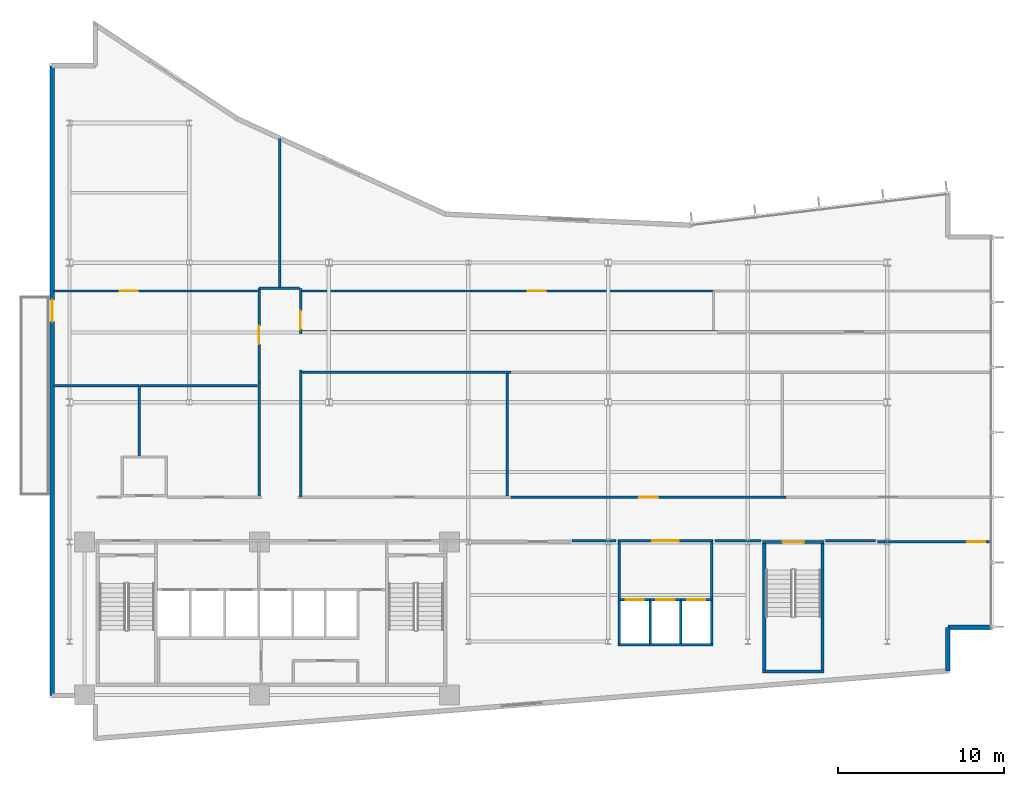
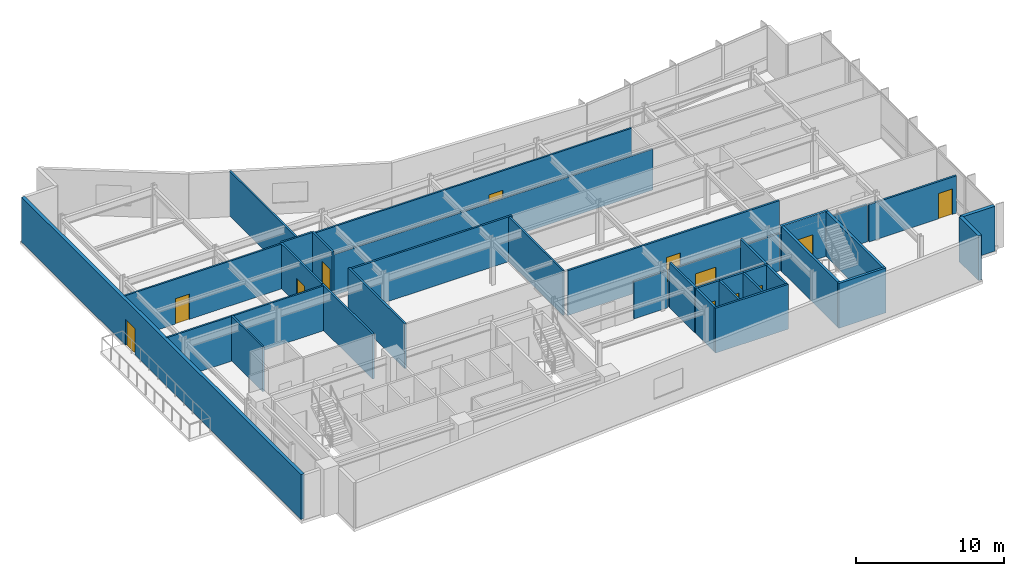
# One storey, part 11 of 16: 37 walls, 12 doors, 12 openings.
"""IFC4 building model written with IfcOpenShell, lengths in metres."""

from ifc_helpers import new_model, si_unit, direction, frame, frame_2d, origin, place, context, subcontext, project, spatial, rectangle, extrude, material, layer, layer_set, type_object, element, fill, save


model = new_model("IFC4")

# Units and contexts
model_context = context("Model", 3, precision=1e-05, world=origin(), true_north=direction((0.0, 1.0)))
body_context = subcontext(model_context, "Body", "Model", "MODEL_VIEW")
ifc_project = project(units=[si_unit("LENGTHUNIT", "METRE"), si_unit("AREAUNIT", "SQUARE_METRE"), si_unit("VOLUMEUNIT", "CUBIC_METRE"), si_unit("PLANEANGLEUNIT", "RADIAN"), si_unit("MASSUNIT", "GRAM", prefix="KILO")], contexts=[model_context])

# Site, building, storey
site_placement = place(None, origin())
site = spatial("IfcSite", under=ifc_project, at=site_placement, CompositionType="ELEMENT")
building_placement = place(site_placement, origin())
building = spatial("IfcBuilding", under=site, at=building_placement, Name="Varnakote Quay Hospital", CompositionType="ELEMENT")
storey_placement = place(building_placement, frame((0.0, 0.0, 166.550048828125)))
storey = spatial("IfcBuildingStorey", under=building, at=storey_placement, Name="L41", CompositionType="ELEMENT", Elevation=166.550048828125)

# Walls
ifc_material_1 = material(Name="Fire-rated acoustic gypsum stud wall", Category="gypsum")
ifc_layer_1 = layer(ifc_material_1, 0.159912109375)
ifc_layer_set_1 = layer_set([ifc_layer_1], Name="Fire-rated acoustic gypsum stud wall")
wall_type_1 = type_object("IfcWallType", Name="WL-COMP-160", PredefinedType="PARTITIONING", material=ifc_layer_set_1)
for number, where, z_axis, x_axis, name in (
    (1, (34.27001953125, 8.610107421875, 0.0), (0.0, 0.0, 1.0), (0.0, 1.0, 0.0), "L41 Mid-Rise Lift Lobby West Wall"),
    (2, (39.830078125, 8.610107421875, 0.0), (0.0, 0.0, 1.0), (0.0, 1.0, 0.0), "L41 Mid-Rise Lift Lobby East Wall"),
):
    element("IfcWall", number, at=place(storey_placement, frame(where, z_axis=z_axis, x_axis=x_axis)), inside=storey, type_object=wall_type_1, Name=name, PredefinedType="PARTITIONING", context=body_context, shape_type="SweptSolid", body=[
        extrude(rectangle(XDim=3.389892578125, YDim=0.159912109375, at=frame_2d((1.69482421875, 0.0))), origin(), (0.0, 0.0, 1.0), 3.7099609375),
    ])

# Wall, opening, door
wall_1_placement = place(storey_placement, frame((34.18994140625, 12.080078125, 0.0), z_axis=(0.0, 0.0, 1.0), x_axis=(1.0, 0.0, 0.0)))
wall_1 = element("IfcWall", 3, at=wall_1_placement, inside=storey, type_object=wall_type_1, Name="L41 Mid-Rise Lift Lobby North Wall", PredefinedType="PARTITIONING", context=body_context, shape_type="SweptSolid", body=[
    extrude(rectangle(XDim=5.719970703125, YDim=0.159912109375, at=frame_2d((2.85986328125, 0.0))), origin(), (0.0, 0.0, 1.0), 3.0830078125),
])
opening_1_placement = place(wall_1_placement, frame((2.06005859375, 0.0, 0.0)))
opening_1 = element("IfcOpeningElement", 4, at=opening_1_placement, cuts=wall_1, Name="Opening D-PML-L41", PredefinedType="OPENING", context=body_context, shape_type="SweptSolid", body=[
    extrude(rectangle(XDim=1.60009765625, YDim=2.050048828125, at=frame_2d((0.800048828125, 1.02490234375))), frame((0.0, 0.08984375, 0.0), z_axis=(0.0, -1.0, 0.0), x_axis=(1.0, 0.0, 0.0)), (0.0, 0.0, 1.0), 0.179931640625),
])
ifc_material_2 = material(Name="Fire-rated double smoke lobby door")
door_type_1 = type_object("IfcDoorType", Name="DR-LOBBY-FD60S-1600x2150", OperationType="NOTDEFINED", PredefinedType="DOOR", material=ifc_material_2)
door_1_placement = place(opening_1_placement, origin())
door_1 = element("IfcDoor", 5, at=door_1_placement, inside=storey, type_object=door_type_1, Name="L41 Mid-Rise Passenger Concourse Vestibule Door", OperationType="DOUBLE_DOOR_SINGLE_SWING", OverallHeight=2.050048828125, OverallWidth=1.60009765625, PredefinedType="DOOR", context=body_context, shape_type="SweptSolid", body=[
    extrude(rectangle(XDim=1.60009765625, YDim=2.050048828125, at=frame_2d((0.800048828125, 1.02490234375))), frame((0.0, 0.02490234375, 0.0), z_axis=(0.0, -1.0, 0.0), x_axis=(1.0, 0.0, 0.0)), (0.0, 0.0, 1.0), 0.050048828125),
])
fill(opening_1, door_1)

# Walls
wall_2_placement = place(storey_placement, frame((31.439208984375, 12.080078125, 0.0), z_axis=(0.0, 0.0, 1.0), x_axis=(1.0, 0.0, 0.0)))
element("IfcWall", 6, at=wall_2_placement, inside=storey, type_object=wall_type_1, Name="L41 Corridor South Gap Wall", PredefinedType="PARTITIONING", context=body_context, shape_type="SweptSolid", body=[
    extrude(rectangle(XDim=2.630859375, YDim=0.159912109375, at=frame_2d((1.3154296875, 0.0))), origin(), (0.0, 0.0, 1.0), 3.0830078125),
])
wall_3_placement = place(storey_placement, frame((40.030029296875, 12.080078125, 0.0), z_axis=(0.0, 0.0, 1.0), x_axis=(1.0, 0.0, 0.0)))
element("IfcWall", 7, at=wall_3_placement, inside=storey, type_object=wall_type_1, Name="L41 Corridor South Gap Wall", PredefinedType="PARTITIONING", context=body_context, shape_type="SweptSolid", body=[
    extrude(rectangle(XDim=2.78076171875, YDim=0.159912109375, at=frame_2d((1.390380859375, 0.0))), origin(), (0.0, 0.0, 1.0), 3.0830078125),
])
wall_4_placement = place(storey_placement, frame((46.689208984375, 12.080078125, 0.0), z_axis=(0.0, 0.0, 1.0), x_axis=(1.0, 0.0, 0.0)))
element("IfcWall", 8, at=wall_4_placement, inside=storey, type_object=wall_type_1, Name="L41 Corridor South Gap Wall", PredefinedType="PARTITIONING", context=body_context, shape_type="SweptSolid", body=[
    extrude(rectangle(XDim=3.0107421875, YDim=0.159912109375, at=frame_2d((1.50537109375, 0.0))), origin(), (0.0, 0.0, 1.0), 3.0830078125),
])
ifc_material_3 = material(Name="Precast concrete N50 (f'c 50 MPa)", Category="concrete")
ifc_layer_2 = layer(ifc_material_3, 0.260009765625)
ifc_layer_set_2 = layer_set([ifc_layer_2], Name="Precast concrete N50 (f'c 50 MPa)")
wall_type_2 = type_object("IfcWallType", Name="WL-EXT-BRICK-260", PredefinedType="STANDARD", material=ifc_layer_set_2)
wall_5_placement = place(storey_placement, frame((54.0400390625, 4.247802734375, 0.0), z_axis=(0.0, 0.0, 1.0), x_axis=(0.0, 1.0, 0.0)))
element("IfcWall", 9, at=wall_5_placement, inside=storey, type_object=wall_type_2, Name="L41 Brick-Faced Precast Exterior Wall", PredefinedType="STANDARD", context=body_context, shape_type="SweptSolid", body=[
    extrude(rectangle(XDim=2.6123046875, YDim=0.260009765625, at=frame_2d((1.30615234375, 0.0))), origin(), (0.0, 0.0, 1.0), 3.7099609375),
])
wall_6_placement = place(storey_placement, frame((54.0400390625, 6.860107421875, 0.0), z_axis=(0.0, 0.0, 1.0), x_axis=(1.0, 0.0, 0.0)))
element("IfcWall", 10, at=wall_6_placement, inside=storey, type_object=wall_type_2, Name="L41 Brick-Faced Precast Exterior Wall", PredefinedType="STANDARD", context=body_context, shape_type="SweptSolid", body=[
    extrude(rectangle(XDim=2.599853515625, YDim=0.260009765625, at=frame_2d((1.2998046875, 0.0))), origin(), (0.0, 0.0, 1.0), 3.7099609375),
])

# Wall, opening, door
wall_7_placement = place(storey_placement, frame((0.159912109375, 40.639892578125, 0.0), z_axis=(0.0, 0.0, 1.0), x_axis=(0.0, -1.0, 0.0)))
wall_7 = element("IfcWall", 11, at=wall_7_placement, inside=storey, type_object=wall_type_2, Name="L41 Healing Terrace Portal Brick Wall", PredefinedType="STANDARD", context=body_context, shape_type="SweptSolid", body=[
    extrude(rectangle(XDim=37.8798828125, YDim=0.260009765625, at=frame_2d((18.93994140625, 0.0))), origin(), (0.0, 0.0, 1.0), 3.7099609375),
])
opening_2_placement = place(wall_7_placement, frame((14.0810546875, 0.0, 0.0)))
opening_2 = element("IfcOpeningElement", 12, at=opening_2_placement, cuts=wall_7, Name="Opening DT-L41", PredefinedType="OPENING", context=body_context, shape_type="SweptSolid", body=[
    extrude(rectangle(XDim=1.300048828125, YDim=2.14990234375, at=frame_2d((0.64990234375, 1.074951171875))), frame((0.0, 0.139892578125, 0.0), z_axis=(0.0, -1.0, 0.0), x_axis=(1.0, 0.0, 0.0)), (0.0, 0.0, 1.0), 0.280029296875),
])
ifc_material_4 = material(Name="Anodised aluminium glazed terrace door", Category="aluminium")
door_type_2 = type_object("IfcDoorType", Name="DR-EXT-TERR-1300x2150", OperationType="NOTDEFINED", PredefinedType="DOOR", material=ifc_material_4)
door_2_placement = place(opening_2_placement, origin())
door_2 = element("IfcDoor", 13, at=door_2_placement, inside=storey, type_object=door_type_2, Name="L41 Waterfront Healing Terrace Door", OperationType="SINGLE_SWING_RIGHT", OverallHeight=2.14990234375, OverallWidth=1.300048828125, PredefinedType="DOOR", context=body_context, shape_type="SweptSolid", body=[
    extrude(rectangle(XDim=1.300048828125, YDim=2.14990234375, at=frame_2d((0.64990234375, 1.074951171875))), frame((0.0, 0.02490234375, 0.0), z_axis=(0.0, -1.0, 0.0), x_axis=(1.0, 0.0, 0.0)), (0.0, 0.0, 1.0), 0.050048828125),
])
fill(opening_2, door_2)

# Walls
ifc_material_5 = material(Name="Concrete N50 (f'c 50 MPa)", Category="concrete")
ifc_layer_3 = layer(ifc_material_5, 0.14990234375)
ifc_layer_set_3 = layer_set([ifc_layer_3], Name="Concrete N50 (f'c 50 MPa)")
wall_type_3 = type_object("IfcWallType", Name="WL-SHAFT-N50-150", PredefinedType="SHEAR", material=ifc_layer_set_3)
for number, where, z_axis, x_axis, name in (
    (14, (36.125, 5.89990234375, 0.0), (0.0, 0.0, 1.0), (0.0, 1.0, 0.0), "L41 LF-PM1 Hoistway Divider Wall"),
    (15, (37.97509765625, 5.89990234375, 0.0), (0.0, 0.0, 1.0), (0.0, 1.0, 0.0), "L41 LF-PM2 Hoistway Divider Wall"),
):
    element("IfcWall", number, at=place(storey_placement, frame(where, z_axis=z_axis, x_axis=x_axis)), inside=storey, type_object=wall_type_3, Name=name, PredefinedType="SHEAR", context=body_context, shape_type="SweptSolid", body=[
        extrude(rectangle(XDim=2.550048828125, YDim=0.14990234375, at=frame_2d((1.27490234375, 0.0))), origin(), (0.0, 0.0, 1.0), 3.7099609375),
    ])
ifc_material_6 = material(Name="Concrete N50 (f'c 50 MPa)", Category="concrete")
ifc_layer_4 = layer(ifc_material_6, 0.159912109375)
ifc_layer_set_4 = layer_set([ifc_layer_4], Name="Concrete N50 (f'c 50 MPa)")
wall_type_4 = type_object("IfcWallType", Name="WL-SHAFT-N50-160", PredefinedType="SHEAR", material=ifc_layer_set_4)
wall_8_placement = place(storey_placement, frame((34.18994140625, 5.820068359375, 0.0), z_axis=(0.0, 0.0, 1.0), x_axis=(1.0, 0.0, 0.0)))
element("IfcWall", 16, at=wall_8_placement, inside=storey, type_object=wall_type_4, Name="L41 MID Lift Bank Back Shear Wall", PredefinedType="SHEAR", context=body_context, shape_type="SweptSolid", body=[
    extrude(rectangle(XDim=5.719970703125, YDim=0.159912109375, at=frame_2d((2.85986328125, 0.0))), origin(), (0.0, 0.0, 1.0), 3.7099609375),
])
for number, where, z_axis, x_axis, name in (
    (17, (34.27001953125, 5.89990234375, 0.0), (0.0, 0.0, 1.0), (0.0, 1.0, 0.0), "L41 MID Lift Bank West Shear Wall"),
    (18, (39.830078125, 5.89990234375, 0.0), (0.0, 0.0, 1.0), (0.0, 1.0, 0.0), "L41 MID Lift Bank East Shear Wall"),
):
    element("IfcWall", number, at=place(storey_placement, frame(where, z_axis=z_axis, x_axis=x_axis)), inside=storey, type_object=wall_type_4, Name=name, PredefinedType="SHEAR", context=body_context, shape_type="SweptSolid", body=[
        extrude(rectangle(XDim=2.550048828125, YDim=0.159912109375, at=frame_2d((1.27490234375, 0.0))), origin(), (0.0, 0.0, 1.0), 3.7099609375),
    ])

# Wall, opening, door
wall_9_placement = place(storey_placement, frame((34.18994140625, 8.530029296875, 0.0), z_axis=(0.0, 0.0, 1.0), x_axis=(1.0, 0.0, 0.0)))
wall_9 = element("IfcWall", 19, at=wall_9_placement, inside=storey, type_object=wall_type_4, Name="L41 LF-PM1 Hoistway Front Wall", PredefinedType="SHEAR", context=body_context, shape_type="SweptSolid", body=[
    extrude(rectangle(XDim=1.93505859375, YDim=0.159912109375, at=frame_2d((0.967529296875, 0.0))), origin(), (0.0, 0.0, 1.0), 3.7099609375),
])
opening_3_placement = place(wall_9_placement, frame((0.4599609375, 0.0, 0.0)))
opening_3 = element("IfcOpeningElement", 20, at=opening_3_placement, cuts=wall_9, Name="Opening LD-PM1-L41", PredefinedType="OPENING", context=body_context, shape_type="SweptSolid", body=[
    extrude(rectangle(XDim=1.10009765625, YDim=2.14990234375, at=frame_2d((0.550048828125, 1.074951171875))), frame((0.0, 0.08984375, 0.0), z_axis=(0.0, -1.0, 0.0), x_axis=(1.0, 0.0, 0.0)), (0.0, 0.0, 1.0), 0.179931640625),
])
ifc_material_7 = material(Name="Brushed bronze lift landing sliding door")
door_type_3 = type_object("IfcDoorType", Name="DR-LIFT-LD-1100x2150", OperationType="NOTDEFINED", PredefinedType="DOOR", material=ifc_material_7)
door_3_placement = place(opening_3_placement, origin())
door_3 = element("IfcDoor", 21, at=door_3_placement, inside=storey, type_object=door_type_3, Name="L41 LF-PM1 Lift Landing Sliding Door", OperationType="SLIDING_TO_LEFT", OverallHeight=2.14990234375, OverallWidth=1.10009765625, PredefinedType="DOOR", context=body_context, shape_type="SweptSolid", body=[
    extrude(rectangle(XDim=1.10009765625, YDim=2.14990234375, at=frame_2d((0.550048828125, 1.074951171875))), frame((0.0, 0.02490234375, 0.0), z_axis=(0.0, -1.0, 0.0), x_axis=(1.0, 0.0, 0.0)), (0.0, 0.0, 1.0), 0.050048828125),
])
fill(opening_3, door_3)

wall_10_placement = place(storey_placement, frame((36.125, 8.530029296875, 0.0), z_axis=(0.0, 0.0, 1.0), x_axis=(1.0, 0.0, 0.0)))
wall_10 = element("IfcWall", 22, at=wall_10_placement, inside=storey, type_object=wall_type_4, Name="L41 LF-PM2 Hoistway Front Wall", PredefinedType="SHEAR", context=body_context, shape_type="SweptSolid", body=[
    extrude(rectangle(XDim=1.85009765625, YDim=0.159912109375, at=frame_2d((0.925048828125, 0.0))), origin(), (0.0, 0.0, 1.0), 3.7099609375),
])
opening_4_placement = place(wall_10_placement, frame((0.375, 0.0, 0.0)))
opening_4 = element("IfcOpeningElement", 23, at=opening_4_placement, cuts=wall_10, Name="Opening LD-PM2-L41", PredefinedType="OPENING", context=body_context, shape_type="SweptSolid", body=[
    extrude(rectangle(XDim=1.10009765625, YDim=2.14990234375, at=frame_2d((0.550048828125, 1.074951171875))), frame((0.0, 0.08984375, 0.0), z_axis=(0.0, -1.0, 0.0), x_axis=(1.0, 0.0, 0.0)), (0.0, 0.0, 1.0), 0.179931640625),
])
door_4_placement = place(opening_4_placement, origin())
door_4 = element("IfcDoor", 24, at=door_4_placement, inside=storey, type_object=door_type_3, Name="L41 LF-PM2 Lift Landing Sliding Door", OperationType="SLIDING_TO_LEFT", OverallHeight=2.14990234375, OverallWidth=1.10009765625, PredefinedType="DOOR", context=body_context, shape_type="SweptSolid", body=[
    extrude(rectangle(XDim=1.10009765625, YDim=2.14990234375, at=frame_2d((0.550048828125, 1.074951171875))), frame((0.0, 0.02490234375, 0.0), z_axis=(0.0, -1.0, 0.0), x_axis=(1.0, 0.0, 0.0)), (0.0, 0.0, 1.0), 0.050048828125),
])
fill(opening_4, door_4)

wall_11_placement = place(storey_placement, frame((37.97509765625, 8.530029296875, 0.0), z_axis=(0.0, 0.0, 1.0), x_axis=(1.0, 0.0, 0.0)))
wall_11 = element("IfcWall", 25, at=wall_11_placement, inside=storey, type_object=wall_type_4, Name="L41 LF-PM3 Hoistway Front Wall", PredefinedType="SHEAR", context=body_context, shape_type="SweptSolid", body=[
    extrude(rectangle(XDim=1.934814453125, YDim=0.159912109375, at=frame_2d((0.96728515625, 0.0))), origin(), (0.0, 0.0, 1.0), 3.7099609375),
])
opening_5_placement = place(wall_11_placement, frame((0.375, 0.0, 0.0)))
opening_5 = element("IfcOpeningElement", 26, at=opening_5_placement, cuts=wall_11, Name="Opening LD-PM3-L41", PredefinedType="OPENING", context=body_context, shape_type="SweptSolid", body=[
    extrude(rectangle(XDim=1.10009765625, YDim=2.14990234375, at=frame_2d((0.550048828125, 1.074951171875))), frame((0.0, 0.08984375, 0.0), z_axis=(0.0, -1.0, 0.0), x_axis=(1.0, 0.0, 0.0)), (0.0, 0.0, 1.0), 0.179931640625),
])
door_5_placement = place(opening_5_placement, origin())
door_5 = element("IfcDoor", 27, at=door_5_placement, inside=storey, type_object=door_type_3, Name="L41 LF-PM3 Lift Landing Sliding Door", OperationType="SLIDING_TO_LEFT", OverallHeight=2.14990234375, OverallWidth=1.10009765625, PredefinedType="DOOR", context=body_context, shape_type="SweptSolid", body=[
    extrude(rectangle(XDim=1.10009765625, YDim=2.14990234375, at=frame_2d((0.550048828125, 1.074951171875))), frame((0.0, 0.02490234375, 0.0), z_axis=(0.0, -1.0, 0.0), x_axis=(1.0, 0.0, 0.0)), (0.0, 0.0, 1.0), 0.050048828125),
])
fill(opening_5, door_5)

# Walls
ifc_material_8 = material(Name="Concrete N50 (f'c 50 MPa)", Category="concrete")
ifc_layer_5 = layer(ifc_material_8, 0.199951171875)
ifc_layer_set_5 = layer_set([ifc_layer_5], Name="Concrete N50 (f'c 50 MPa)")
wall_type_5 = type_object("IfcWallType", Name="WL-SHAFT-N50-200", PredefinedType="SHEAR", material=ifc_layer_set_5)
wall_12_placement = place(storey_placement, frame((42.89990234375, 4.199951171875, 0.0), z_axis=(0.0, 0.0, 1.0), x_axis=(1.0, 0.0, 0.0)))
element("IfcWall", 28, at=wall_12_placement, inside=storey, type_object=wall_type_5, Name="L41 Stair ST3 South Shaft Wall", PredefinedType="SHEAR", context=body_context, shape_type="SweptSolid", body=[
    extrude(rectangle(XDim=3.7001953125, YDim=0.199951171875, at=frame_2d((1.85009765625, 0.0))), origin(), (0.0, 0.0, 1.0), 3.7099609375),
])
for number, where, z_axis, x_axis, name in (
    (29, (43.0, 4.300048828125, 0.0), (0.0, 0.0, 1.0), (0.0, 1.0, 0.0), "L41 Stair ST3 West Shaft Wall"),
    (30, (46.5, 4.300048828125, 0.0), (0.0, 0.0, 1.0), (0.0, 1.0, 0.0), "L41 Stair ST3 East Shaft Wall"),
):
    element("IfcWall", number, at=place(storey_placement, frame(where, z_axis=z_axis, x_axis=x_axis)), inside=storey, type_object=wall_type_5, Name=name, PredefinedType="SHEAR", context=body_context, shape_type="SweptSolid", body=[
        extrude(rectangle(XDim=7.599853515625, YDim=0.199951171875, at=frame_2d((3.7998046875, 0.0))), origin(), (0.0, 0.0, 1.0), 3.7099609375),
    ])

# Wall, opening, door
wall_13_placement = place(storey_placement, frame((42.89990234375, 12.0, 0.0), z_axis=(0.0, 0.0, 1.0), x_axis=(1.0, 0.0, 0.0)))
wall_13 = element("IfcWall", 31, at=wall_13_placement, inside=storey, type_object=wall_type_5, Name="L41 Stair ST3 Exit Wall", PredefinedType="SHEAR", context=body_context, shape_type="SweptSolid", body=[
    extrude(rectangle(XDim=3.7001953125, YDim=0.199951171875, at=frame_2d((1.85009765625, 0.0))), origin(), (0.0, 0.0, 1.0), 3.7099609375),
])
opening_6_placement = place(wall_13_placement, frame((1.199951171875, 0.0, 0.0)))
opening_6 = element("IfcOpeningElement", 32, at=opening_6_placement, cuts=wall_13, Name="Opening D-ST3-L41", PredefinedType="OPENING", context=body_context, shape_type="SweptSolid", body=[
    extrude(rectangle(XDim=1.300048828125, YDim=2.14990234375, at=frame_2d((0.64990234375, 1.074951171875))), frame((0.0, 0.10986328125, 0.0), z_axis=(0.0, -1.0, 0.0), x_axis=(1.0, 0.0, 0.0)), (0.0, 0.0, 1.0), 0.219970703125),
])
ifc_material_9 = material(Name="Fire-rated ceramic-glazed timber exit door", Category="wood")
door_type_4 = type_object("IfcDoorType", Name="DR-STAIR-FD60S-1300x2150", OperationType="NOTDEFINED", PredefinedType="DOOR", material=ifc_material_9)
door_6_placement = place(opening_6_placement, origin())
door_6 = element("IfcDoor", 33, at=door_6_placement, inside=storey, type_object=door_type_4, Name="L41 Stair ST3 Fire Exit Door", OperationType="SINGLE_SWING_RIGHT", OverallHeight=2.14990234375, OverallWidth=1.300048828125, PredefinedType="DOOR", context=body_context, shape_type="SweptSolid", body=[
    extrude(rectangle(XDim=1.300048828125, YDim=2.14990234375, at=frame_2d((0.64990234375, 1.074951171875))), frame((0.0, 0.02490234375, 0.0), z_axis=(0.0, -1.0, 0.0), x_axis=(1.0, 0.0, 0.0)), (0.0, 0.0, 1.0), 0.050048828125),
])
fill(opening_6, door_6)

# Walls
ifc_material_10 = material(Name="Smoke-proof clinical partition", Category="gypsum")
ifc_layer_6 = layer(ifc_material_10, 0.135009765625)
ifc_layer_set_6 = layer_set([ifc_layer_6], Name="Smoke-proof clinical partition")
wall_type_6 = type_object("IfcWallType", Name="WL-SMOKE-135", PredefinedType="PARTITIONING", material=ifc_layer_set_6)
wall_14_placement = place(storey_placement, frame((5.39990234375, 17.139892578125, 0.0), z_axis=(0.0, 0.0, 1.0), x_axis=(0.0, 1.0, 0.0)))
element("IfcWall", 34, at=wall_14_placement, inside=storey, type_object=wall_type_6, Name="L41 Clinical Interior Partition", PredefinedType="PARTITIONING", context=body_context, shape_type="SweptSolid", body=[
    extrude(rectangle(XDim=4.260009765625, YDim=0.135009765625, at=frame_2d((2.1298828125, 0.0))), origin(), (0.0, 0.0, 1.0), 3.7099609375),
])
wall_15_placement = place(storey_placement, frame((5.39990234375, 21.39990234375, 0.0), z_axis=(0.0, 0.0, 1.0), x_axis=(-1.0, 0.0, 0.0)))
element("IfcWall", 35, at=wall_15_placement, inside=storey, type_object=wall_type_6, Name="L41 Clinical Interior Partition", PredefinedType="PARTITIONING", context=body_context, shape_type="SweptSolid", body=[
    extrude(rectangle(XDim=5.159912109375, YDim=0.135009765625, at=frame_2d((2.580078125, 0.0))), origin(), (0.0, 0.0, 1.0), 3.7099609375),
])
wall_16_placement = place(storey_placement, frame((12.52001953125, 21.39990234375, 0.0), z_axis=(0.0, 0.0, 1.0), x_axis=(-1.0, 0.0, 0.0)))
element("IfcWall", 36, at=wall_16_placement, inside=storey, type_object=wall_type_6, Name="L41 Clinical Interior Partition", PredefinedType="PARTITIONING", context=body_context, shape_type="SweptSolid", body=[
    extrude(rectangle(XDim=7.0625, YDim=0.135009765625, at=frame_2d((3.53125, 0.0))), origin(), (0.0, 0.0, 1.0), 3.7099609375),
])

# Wall, opening, door
wall_17_placement = place(storey_placement, frame((12.52001953125, 27.10009765625, 0.0), z_axis=(0.0, 0.0, 1.0), x_axis=(-1.0, 0.0, 0.0)))
wall_17 = element("IfcWall", 37, at=wall_17_placement, inside=storey, type_object=wall_type_6, Name="L41 Clinical Interior Partition", PredefinedType="PARTITIONING", context=body_context, shape_type="SweptSolid", body=[
    extrude(rectangle(XDim=12.280029296875, YDim=0.135009765625, at=frame_2d((6.14013671875, 0.0))), origin(), (0.0, 0.0, 1.0), 3.7099609375),
])
opening_7_placement = place(wall_17_placement, frame((7.20703125, 0.0, 0.0)))
opening_7 = element("IfcOpeningElement", 38, at=opening_7_placement, cuts=wall_17, Name="Opening D-L41-MD08", PredefinedType="OPENING", context=body_context, shape_type="SweptSolid", body=[
    extrude(rectangle(XDim=1.10009765625, YDim=2.10009765625, at=frame_2d((0.550048828125, 1.050048828125))), frame((0.0, 0.077392578125, 0.0), z_axis=(0.0, -1.0, 0.0), x_axis=(1.0, 0.0, 0.0)), (0.0, 0.0, 1.0), 0.155029296875),
])
ifc_material_11 = material(Name="Acoustic timber clinical consult door", Category="wood")
door_type_5 = type_object("IfcDoorType", Name="DR-CLIN-FD30S-1100x2100", OperationType="NOTDEFINED", PredefinedType="DOOR", material=ifc_material_11)
door_7_placement = place(opening_7_placement, origin())
door_7 = element("IfcDoor", 39, at=door_7_placement, inside=storey, type_object=door_type_5, Name="L41 Lactation Specialist Office Door", OperationType="SINGLE_SWING_LEFT", OverallHeight=2.10009765625, OverallWidth=1.10009765625, PredefinedType="DOOR", context=body_context, shape_type="SweptSolid", body=[
    extrude(rectangle(XDim=1.10009765625, YDim=2.10009765625, at=frame_2d((0.550048828125, 1.050048828125))), frame((0.0, 0.02490234375, 0.0), z_axis=(0.0, -1.0, 0.0), x_axis=(1.0, 0.0, 0.0)), (0.0, 0.0, 1.0), 0.050048828125),
])
fill(opening_7, door_7)

# Wall
wall_18_placement = place(storey_placement, frame((27.530029296875, 14.760009765625, 0.0), z_axis=(0.0, 0.0, 1.0), x_axis=(0.0, 1.0, 0.0)))
element("IfcWall", 40, at=wall_18_placement, inside=storey, type_object=wall_type_6, Name="L41 Clinical Interior Partition", PredefinedType="PARTITIONING", context=body_context, shape_type="SweptSolid", body=[
    extrude(rectangle(XDim=7.360107421875, YDim=0.135009765625, at=frame_2d((3.68017578125, 0.0))), origin(), (0.0, 0.0, 1.0), 3.7099609375),
])

# Wall, opening, door
wall_19_placement = place(storey_placement, frame((39.949951171875, 27.10009765625, 0.0), z_axis=(0.0, 0.0, 1.0), x_axis=(-1.0, 0.0, 0.0)))
wall_19 = element("IfcWall", 41, at=wall_19_placement, inside=storey, type_object=wall_type_6, Name="L41 Clinical Interior Partition", PredefinedType="PARTITIONING", context=body_context, shape_type="SweptSolid", body=[
    extrude(rectangle(XDim=24.77001953125, YDim=0.135009765625, at=frame_2d((12.385009765625, 0.0))), origin(), (0.0, 0.0, 1.0), 3.7099609375),
])
opening_8_placement = place(wall_19_placement, frame((10.08984375, 0.0, 0.0)))
opening_8 = element("IfcOpeningElement", 42, at=opening_8_placement, cuts=wall_19, Name="Opening D-L41-MD09", PredefinedType="OPENING", context=body_context, shape_type="SweptSolid", body=[
    extrude(rectangle(XDim=1.10009765625, YDim=2.10009765625, at=frame_2d((0.550048828125, 1.050048828125))), frame((0.0, 0.077392578125, 0.0), z_axis=(0.0, -1.0, 0.0), x_axis=(1.0, 0.0, 0.0)), (0.0, 0.0, 1.0), 0.155029296875),
])
door_8_placement = place(opening_8_placement, origin())
door_8 = element("IfcDoor", 43, at=door_8_placement, inside=storey, type_object=door_type_5, Name="L41 Maternal Recovery Treatment Suite Door", OperationType="SINGLE_SWING_RIGHT", OverallHeight=2.10009765625, OverallWidth=1.10009765625, PredefinedType="DOOR", context=body_context, shape_type="SweptSolid", body=[
    extrude(rectangle(XDim=1.10009765625, YDim=2.10009765625, at=frame_2d((0.550048828125, 1.050048828125))), frame((0.0, 0.02490234375, 0.0), z_axis=(0.0, -1.0, 0.0), x_axis=(1.0, 0.0, 0.0)), (0.0, 0.0, 1.0), 0.050048828125),
])
fill(opening_8, door_8)

# Wall
wall_20_placement = place(storey_placement, frame((13.85009765625, 27.320068359375, 0.0), z_axis=(0.0, 0.0, 1.0), x_axis=(0.0, 1.0, 0.0)))
element("IfcWall", 44, at=wall_20_placement, inside=storey, type_object=wall_type_6, Name="L41 Clinical Interior Partition", PredefinedType="PARTITIONING", context=body_context, shape_type="SweptSolid", body=[
    extrude(rectangle(XDim=8.959716796875, YDim=0.135009765625, at=frame_2d((4.47998046875, 0.0))), origin(), (0.0, 0.0, 1.0), 3.7099609375),
])

# Wall, opening, door
ifc_material_12 = material(Name="Fire-rated clinical gypsum partition", Category="gypsum")
ifc_layer_7 = layer(ifc_material_12, 0.14990234375)
ifc_layer_set_7 = layer_set([ifc_layer_7], Name="Fire-rated clinical gypsum partition")
wall_type_7 = type_object("IfcWallType", Name="WL-WARD-150", PredefinedType="PARTITIONING", material=ifc_layer_set_7)
wall_21_placement = place(storey_placement, frame((56.639892578125, 12.0, 0.0), z_axis=(0.0, 0.0, 1.0), x_axis=(-1.0, 0.0, 0.0)))
wall_21 = element("IfcWall", 45, at=wall_21_placement, inside=storey, type_object=wall_type_7, Name="L41 Clinical Interior Partition", PredefinedType="PARTITIONING", context=body_context, shape_type="SweptSolid", body=[
    extrude(rectangle(XDim=6.83984375, YDim=0.14990234375, at=frame_2d((3.419921875, 0.0))), origin(), (0.0, 0.0, 1.0), 3.0830078125),
])
opening_9_placement = place(wall_21_placement, frame((0.33349609375, 0.0, 0.0)))
opening_9 = element("IfcOpeningElement", 46, at=opening_9_placement, cuts=wall_21, Name="Opening D-L41-SE1", PredefinedType="OPENING", context=body_context, shape_type="SweptSolid", body=[
    extrude(rectangle(XDim=1.10009765625, YDim=2.10009765625, at=frame_2d((0.550048828125, 1.050048828125))), frame((0.0, 0.0849609375, 0.0), z_axis=(0.0, -1.0, 0.0), x_axis=(1.0, 0.0, 0.0)), (0.0, 0.0, 1.0), 0.169921875),
])
door_9_placement = place(opening_9_placement, origin())
door_9 = element("IfcDoor", 47, at=door_9_placement, inside=storey, type_object=door_type_5, Name="L41 Clinical Biomedical Engineering Office Door", OperationType="SINGLE_SWING_RIGHT", OverallHeight=2.10009765625, OverallWidth=1.10009765625, PredefinedType="DOOR", context=body_context, shape_type="SweptSolid", body=[
    extrude(rectangle(XDim=1.10009765625, YDim=2.10009765625, at=frame_2d((0.550048828125, 1.050048828125))), frame((0.0, 0.02490234375, 0.0), z_axis=(0.0, -1.0, 0.0), x_axis=(1.0, 0.0, 0.0)), (0.0, 0.0, 1.0), 0.050048828125),
])
fill(opening_9, door_9)

wall_22_placement = place(storey_placement, frame((44.305908203125, 14.679931640625, 0.0), z_axis=(0.0, 0.0, 1.0), x_axis=(-1.0, 0.0, 0.0)))
wall_22 = element("IfcWall", 48, at=wall_22_placement, inside=storey, type_object=wall_type_7, Name="L41 Clinical Interior Partition", PredefinedType="PARTITIONING", context=body_context, shape_type="SweptSolid", body=[
    extrude(rectangle(XDim=16.5478515625, YDim=0.14990234375, at=frame_2d((8.27392578125, 0.0))), origin(), (0.0, 0.0, 1.0), 3.7099609375),
])
opening_10_placement = place(wall_22_placement, frame((7.72412109375, 0.0, 0.0)))
opening_10 = element("IfcOpeningElement", 49, at=opening_10_placement, cuts=wall_22, Name="Opening D-L41-MD04", PredefinedType="OPENING", context=body_context, shape_type="SweptSolid", body=[
    extrude(rectangle(XDim=1.10009765625, YDim=2.10009765625, at=frame_2d((0.550048828125, 1.050048828125))), frame((0.0, 0.0849609375, 0.0), z_axis=(0.0, -1.0, 0.0), x_axis=(1.0, 0.0, 0.0)), (0.0, 0.0, 1.0), 0.169921875),
])
door_10_placement = place(opening_10_placement, origin())
door_10 = element("IfcDoor", 50, at=door_10_placement, inside=storey, type_object=door_type_5, Name="L41 Lactation Specialist Office Door", OperationType="SINGLE_SWING_RIGHT", OverallHeight=2.10009765625, OverallWidth=1.10009765625, PredefinedType="DOOR", context=body_context, shape_type="SweptSolid", body=[
    extrude(rectangle(XDim=1.10009765625, YDim=2.10009765625, at=frame_2d((0.550048828125, 1.050048828125))), frame((0.0, 0.02490234375, 0.0), z_axis=(0.0, -1.0, 0.0), x_axis=(1.0, 0.0, 0.0)), (0.0, 0.0, 1.0), 0.050048828125),
])
fill(opening_10, door_10)

# Wall
wall_23_placement = place(storey_placement, frame((12.60009765625, 21.6259765625, 0.0), z_axis=(0.0, 0.0, 1.0), x_axis=(0.0, -1.0, 0.0)))
element("IfcWall", 51, at=wall_23_placement, inside=storey, type_object=wall_type_7, Name="L41 Clinical Interior Partition", PredefinedType="PARTITIONING", context=body_context, shape_type="SweptSolid", body=[
    extrude(rectangle(XDim=6.926025390625, YDim=0.14990234375, at=frame_2d((3.462890625, 0.0))), origin(), (0.0, 0.0, 1.0), 3.7099609375),
])

# Wall, opening, door
wall_24_placement = place(storey_placement, frame((12.60009765625, 27.260009765625, 0.0), z_axis=(0.0, 0.0, 1.0), x_axis=(0.0, -1.0, 0.0)))
wall_24 = element("IfcWall", 52, at=wall_24_placement, inside=storey, type_object=wall_type_7, Name="L41 Clinical Interior Partition", PredefinedType="PARTITIONING", context=body_context, shape_type="SweptSolid", body=[
    extrude(rectangle(XDim=5.632080078125, YDim=0.14990234375, at=frame_2d((2.81591796875, 0.0))), origin(), (0.0, 0.0, 1.0), 3.7099609375),
])
opening_11_placement = place(wall_24_placement, frame((2.26611328125, 0.0, 0.0)))
opening_11 = element("IfcOpeningElement", 53, at=opening_11_placement, cuts=wall_24, Name="Opening D-L41-MD02", PredefinedType="OPENING", context=body_context, shape_type="SweptSolid", body=[
    extrude(rectangle(XDim=1.10009765625, YDim=2.10009765625, at=frame_2d((0.550048828125, 1.050048828125))), frame((0.0, 0.0849609375, 0.0), z_axis=(0.0, -1.0, 0.0), x_axis=(1.0, 0.0, 0.0)), (0.0, 0.0, 1.0), 0.169921875),
])
door_11_placement = place(opening_11_placement, origin())
door_11 = element("IfcDoor", 54, at=door_11_placement, inside=storey, type_object=door_type_5, Name="L41 Family Consultation Meeting Room Door", OperationType="SINGLE_SWING_RIGHT", OverallHeight=2.10009765625, OverallWidth=1.10009765625, PredefinedType="DOOR", context=body_context, shape_type="SweptSolid", body=[
    extrude(rectangle(XDim=1.10009765625, YDim=2.10009765625, at=frame_2d((0.550048828125, 1.050048828125))), frame((0.0, 0.02490234375, 0.0), z_axis=(0.0, -1.0, 0.0), x_axis=(1.0, 0.0, 0.0)), (0.0, 0.0, 1.0), 0.050048828125),
])
fill(opening_11, door_11)

# Wall
wall_25_placement = place(storey_placement, frame((15.10009765625, 14.699951171875, 0.0), z_axis=(0.0, 0.0, 1.0), x_axis=(0.0, 1.0, 0.0)))
element("IfcWall", 55, at=wall_25_placement, inside=storey, type_object=wall_type_7, Name="L41 Clinical Interior Partition", PredefinedType="PARTITIONING", context=body_context, shape_type="SweptSolid", body=[
    extrude(rectangle(XDim=7.64599609375, YDim=0.14990234375, at=frame_2d((3.822998046875, 0.0))), origin(), (0.0, 0.0, 1.0), 3.7099609375),
])

# Wall, opening, door
wall_26_placement = place(storey_placement, frame((15.10009765625, 24.50390625, 0.0), z_axis=(0.0, 0.0, 1.0), x_axis=(0.0, 1.0, 0.0)))
wall_26 = element("IfcWall", 56, at=wall_26_placement, inside=storey, type_object=wall_type_7, Name="L41 Clinical Interior Partition", PredefinedType="PARTITIONING", context=body_context, shape_type="SweptSolid", body=[
    extrude(rectangle(XDim=2.756103515625, YDim=0.14990234375, at=frame_2d((1.3779296875, 0.0))), origin(), (0.0, 0.0, 1.0), 3.7099609375),
])
opening_12_placement = place(wall_26_placement, frame((0.294189453125, 0.0, 0.0)))
opening_12 = element("IfcOpeningElement", 57, at=opening_12_placement, cuts=wall_26, Name="Opening D-L41-MD06", PredefinedType="OPENING", context=body_context, shape_type="SweptSolid", body=[
    extrude(rectangle(XDim=1.10009765625, YDim=2.10009765625, at=frame_2d((0.550048828125, 1.050048828125))), frame((0.0, 0.0849609375, 0.0), z_axis=(0.0, -1.0, 0.0), x_axis=(1.0, 0.0, 0.0)), (0.0, 0.0, 1.0), 0.169921875),
])
door_12_placement = place(opening_12_placement, origin())
door_12 = element("IfcDoor", 58, at=door_12_placement, inside=storey, type_object=door_type_5, Name="L41 Family Consultation Meeting Room Door", OperationType="SINGLE_SWING_LEFT", OverallHeight=2.10009765625, OverallWidth=1.10009765625, PredefinedType="DOOR", context=body_context, shape_type="SweptSolid", body=[
    extrude(rectangle(XDim=1.10009765625, YDim=2.10009765625, at=frame_2d((0.550048828125, 1.050048828125))), frame((0.0, 0.02490234375, 0.0), z_axis=(0.0, -1.0, 0.0), x_axis=(1.0, 0.0, 0.0)), (0.0, 0.0, 1.0), 0.050048828125),
])
fill(opening_12, door_12)

# Walls
wall_27_placement = place(storey_placement, frame((15.034912109375, 27.260009765625, 0.0), z_axis=(0.0, 0.0, 1.0), x_axis=(-1.0, 0.0, 0.0)))
element("IfcWall", 59, at=wall_27_placement, inside=storey, type_object=wall_type_7, Name="L41 Clinical Interior Partition", PredefinedType="PARTITIONING", context=body_context, shape_type="SweptSolid", body=[
    extrude(rectangle(XDim=2.434814453125, YDim=0.14990234375, at=frame_2d((1.21728515625, 0.0))), origin(), (0.0, 0.0, 1.0), 3.7099609375),
])
wall_28_placement = place(storey_placement, frame((15.1201171875, 22.199951171875, 0.0), z_axis=(0.0, 0.0, 1.0), x_axis=(1.0, 0.0, 0.0)))
element("IfcWall", 60, at=wall_28_placement, inside=storey, type_object=wall_type_7, Name="L41 Clinical Interior Partition", PredefinedType="PARTITIONING", context=body_context, shape_type="SweptSolid", body=[
    extrude(rectangle(XDim=12.635986328125, YDim=0.14990234375, at=frame_2d((6.31787109375, 0.0))), origin(), (0.0, 0.0, 1.0), 3.7099609375),
])
wall_29_placement = place(storey_placement, frame((40.176025390625, 24.64990234375, 0.0), z_axis=(0.0, 0.0, 1.0), x_axis=(-1.0, 0.0, 0.0)))
element("IfcWall", 61, at=wall_29_placement, inside=storey, type_object=wall_type_7, Name="L41 Clinical Interior Partition", PredefinedType="PARTITIONING", context=body_context, shape_type="SweptSolid", body=[
    extrude(rectangle(XDim=25.055908203125, YDim=0.14990234375, at=frame_2d((12.52783203125, 0.0))), origin(), (0.0, 0.0, 1.0), 3.3779296875),
])

save(model, "model.ifc")
